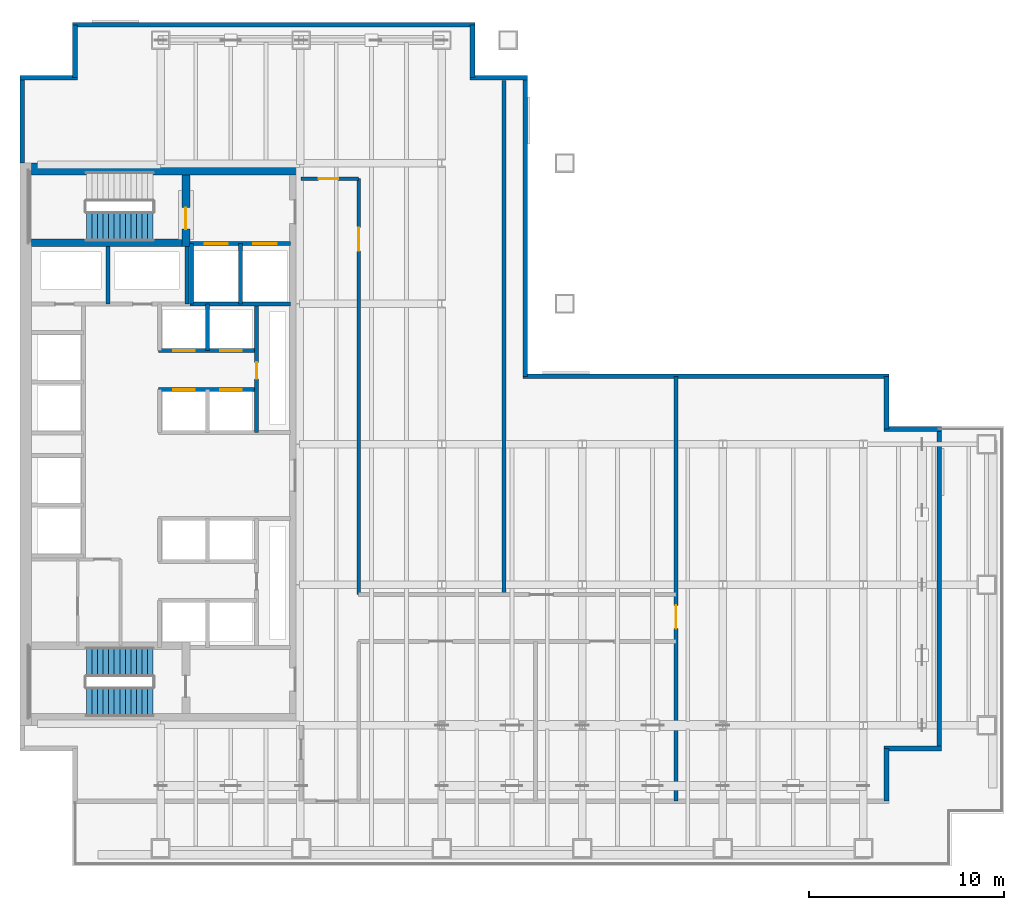
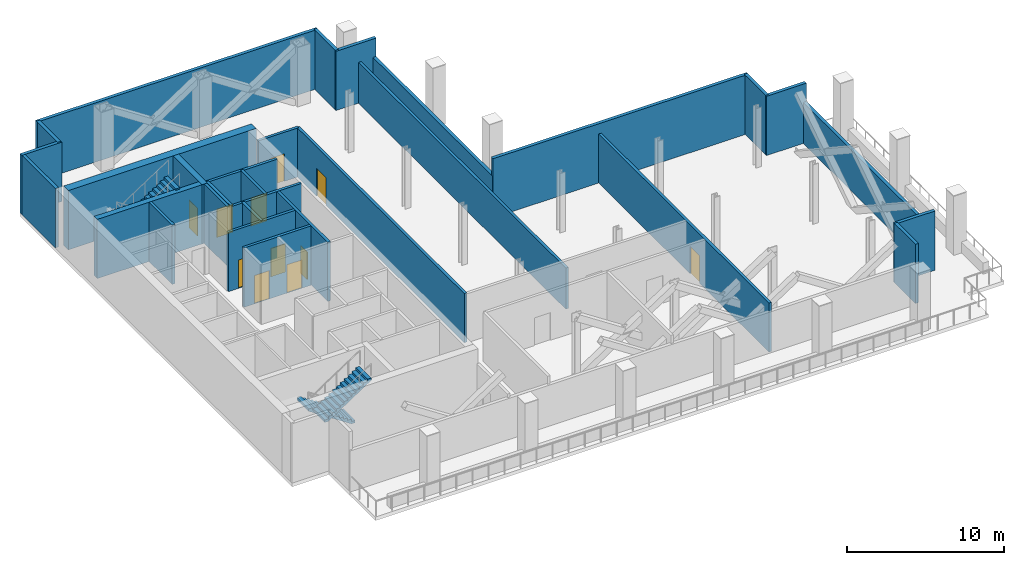
# One storey, part 6 of 9: 30 walls, 11 doors, 3 stair flights, 11 openings, 2 elements without a shape of their own.
"""IFC4 building model written with IfcOpenShell, lengths in metres."""

from ifc_helpers import new_model, si_unit, direction, frame, frame_2d, origin, place, context, subcontext, project, spatial, polyline, rectangle, outline, extrude, material, layer, layer_set, type_object, element, fill, aggregate, save


model = new_model("IFC4")

# Units and contexts
model_context = context("Model", 3, precision=1e-05, world=origin(), true_north=direction((0.0, 1.0)))
body_context = subcontext(model_context, "Body", "Model", "MODEL_VIEW")
ifc_project = project(units=[si_unit("LENGTHUNIT", "METRE"), si_unit("AREAUNIT", "SQUARE_METRE"), si_unit("VOLUMEUNIT", "CUBIC_METRE"), si_unit("PLANEANGLEUNIT", "RADIAN"), si_unit("MASSUNIT", "GRAM", prefix="KILO")], contexts=[model_context])

# Site, building, storey
site_placement = place(None, origin())
site = spatial("IfcSite", under=ifc_project, at=site_placement, CompositionType="ELEMENT")
building_placement = place(site_placement, origin())
building = spatial("IfcBuilding", under=site, at=building_placement, Name="Cobrela Telecom Tower", CompositionType="ELEMENT")
storey_placement = place(building_placement, frame((0.0, 0.0, 92.75)))
storey = spatial("IfcBuildingStorey", under=building, at=storey_placement, Name="L23", CompositionType="ELEMENT", Elevation=92.75)

# Walls
ifc_material_1 = material(Name="Concrete C50/60", Category="concrete")
ifc_layer_1 = layer(ifc_material_1, 0.60009765625)
ifc_layer_set_1 = layer_set([ifc_layer_1], Name="Concrete C50/60")
wall_type_1 = type_object("IfcWallType", Name="WALL-CORE-C50-600", PredefinedType="SHEAR", material=ifc_layer_set_1)
wall_1_placement = place(storey_placement, frame((0.60009765625, 35.699951171875, 0.0), z_axis=(0.0, 0.0, 1.0), x_axis=(1.0, 0.0, 0.0)))
element("IfcWall", 1, at=wall_1_placement, inside=storey, type_object=wall_type_1, Name="L23 North Core Shear Wall", PredefinedType="SHEAR", context=body_context, shape_type="SweptSolid", body=[
    extrude(rectangle(XDim=13.7998046875, YDim=0.60009765625, at=frame_2d((6.89990234375, 0.0))), origin(), (0.0, 0.0, 1.0), 4.60009765625),
])
ifc_material_2 = material(Name="Concrete C40/50", Category="concrete")
ifc_layer_2 = layer(ifc_material_2, 0.239990234375)
ifc_layer_set_2 = layer_set([ifc_layer_2], Name="Concrete C40/50")
wall_type_2 = type_object("IfcWallType", Name="WALL-EXT-300", PredefinedType="STANDARD", material=ifc_layer_set_2)
wall_2_placement = place(storey_placement, frame((0.1201171875, 36.0, 0.0), z_axis=(0.0, 0.0, 1.0), x_axis=(0.0, 1.0, 0.0)))
element("IfcWall", 2, at=wall_2_placement, inside=storey, type_object=wall_type_2, Name="L23 Plant Acoustic Exterior Wall 04", PredefinedType="STANDARD", context=body_context, shape_type="SweptSolid", body=[
    extrude(rectangle(XDim=4.3798828125, YDim=0.239990234375, at=frame_2d((2.18994140625, 0.0))), origin(), (0.0, 0.0, 1.0), 4.60009765625),
])
wall_3_placement = place(storey_placement, frame((0.0, 40.3798828125, 0.0), z_axis=(0.0, 0.0, 1.0), x_axis=(1.0, 0.0, 0.0)))
element("IfcWall", 3, at=wall_3_placement, inside=storey, type_object=wall_type_2, Name="L23 Plant Acoustic Exterior Wall 05", PredefinedType="STANDARD", context=body_context, shape_type="SweptSolid", body=[
    extrude(rectangle(XDim=2.93994140625, YDim=0.239990234375, at=frame_2d((1.469970703125, 0.0))), origin(), (0.0, 0.0, 1.0), 4.60009765625),
])
wall_4_placement = place(storey_placement, frame((2.820068359375, 40.3798828125, 0.0), z_axis=(0.0, 0.0, 1.0), x_axis=(0.0, 1.0, 0.0)))
element("IfcWall", 4, at=wall_4_placement, inside=storey, type_object=wall_type_2, Name="L23 Plant Acoustic Exterior Wall 06", PredefinedType="STANDARD", context=body_context, shape_type="SweptSolid", body=[
    extrude(rectangle(XDim=2.7001953125, YDim=0.239990234375, at=frame_2d((1.35009765625, 0.0))), origin(), (0.0, 0.0, 1.0), 4.60009765625),
])
wall_5_placement = place(storey_placement, frame((2.699951171875, 43.080078125, 0.0), z_axis=(0.0, 0.0, 1.0), x_axis=(1.0, 0.0, 0.0)))
element("IfcWall", 5, at=wall_5_placement, inside=storey, type_object=wall_type_2, Name="L23 Plant Acoustic Exterior Wall 07", PredefinedType="STANDARD", context=body_context, shape_type="SweptSolid", body=[
    extrude(rectangle(XDim=20.60009765625, YDim=0.239990234375, at=frame_2d((10.300048828125, 0.0))), origin(), (0.0, 0.0, 1.0), 4.60009765625),
])
wall_6_placement = place(storey_placement, frame((23.179931640625, 43.080078125, 0.0), z_axis=(0.0, 0.0, 1.0), x_axis=(0.0, -1.0, 0.0)))
element("IfcWall", 6, at=wall_6_placement, inside=storey, type_object=wall_type_2, Name="L23 Plant Acoustic Exterior Wall 08", PredefinedType="STANDARD", context=body_context, shape_type="SweptSolid", body=[
    extrude(rectangle(XDim=2.7001953125, YDim=0.239990234375, at=frame_2d((1.35009765625, 0.0))), origin(), (0.0, 0.0, 1.0), 4.60009765625),
])
wall_7_placement = place(storey_placement, frame((23.06005859375, 40.3798828125, 0.0), z_axis=(0.0, 0.0, 1.0), x_axis=(1.0, 0.0, 0.0)))
element("IfcWall", 7, at=wall_7_placement, inside=storey, type_object=wall_type_2, Name="L23 Plant Acoustic Exterior Wall 09", PredefinedType="STANDARD", context=body_context, shape_type="SweptSolid", body=[
    extrude(rectangle(XDim=2.93994140625, YDim=0.239990234375, at=frame_2d((1.469970703125, 0.0))), origin(), (0.0, 0.0, 1.0), 4.60009765625),
])
wall_8_placement = place(storey_placement, frame((25.8798828125, 40.3798828125, 0.0), z_axis=(0.0, 0.0, 1.0), x_axis=(0.0, -1.0, 0.0)))
element("IfcWall", 8, at=wall_8_placement, inside=storey, type_object=wall_type_2, Name="L23 Plant Acoustic Exterior Wall 10", PredefinedType="STANDARD", context=body_context, shape_type="SweptSolid", body=[
    extrude(rectangle(XDim=15.2998046875, YDim=0.239990234375, at=frame_2d((7.64990234375, 0.0))), origin(), (0.0, 0.0, 1.0), 3.18505859375),
])
wall_9_placement = place(storey_placement, frame((25.760009765625, 25.080078125, 0.0), z_axis=(0.0, 0.0, 1.0), x_axis=(1.0, 0.0, 0.0)))
element("IfcWall", 9, at=wall_9_placement, inside=storey, type_object=wall_type_2, Name="L23 Plant Acoustic Exterior Wall 11", PredefinedType="STANDARD", context=body_context, shape_type="SweptSolid", body=[
    extrude(rectangle(XDim=18.739990234375, YDim=0.239990234375, at=frame_2d((9.3701171875, 0.0))), origin(), (0.0, 0.0, 1.0), 4.60009765625),
])
wall_10_placement = place(storey_placement, frame((44.3798828125, 25.080078125, 0.0), z_axis=(0.0, 0.0, 1.0), x_axis=(0.0, -1.0, 0.0)))
element("IfcWall", 10, at=wall_10_placement, inside=storey, type_object=wall_type_2, Name="L23 Plant Acoustic Exterior Wall 12", PredefinedType="STANDARD", context=body_context, shape_type="SweptSolid", body=[
    extrude(rectangle(XDim=2.7001953125, YDim=0.239990234375, at=frame_2d((1.35009765625, 0.0))), origin(), (0.0, 0.0, 1.0), 4.60009765625),
])
wall_11_placement = place(storey_placement, frame((44.260009765625, 22.3798828125, 0.0), z_axis=(0.0, 0.0, 1.0), x_axis=(1.0, 0.0, 0.0)))
element("IfcWall", 11, at=wall_11_placement, inside=storey, type_object=wall_type_2, Name="L23 Plant Acoustic Exterior Wall 13", PredefinedType="STANDARD", context=body_context, shape_type="SweptSolid", body=[
    extrude(rectangle(XDim=2.93994140625, YDim=0.239990234375, at=frame_2d((1.469970703125, 0.0))), origin(), (0.0, 0.0, 1.0), 4.60009765625),
])
wall_12_placement = place(storey_placement, frame((47.080078125, 22.3798828125, 0.0), z_axis=(0.0, 0.0, 1.0), x_axis=(0.0, -1.0, 0.0)))
element("IfcWall", 12, at=wall_12_placement, inside=storey, type_object=wall_type_2, Name="L23 Plant Acoustic Exterior Wall 14", PredefinedType="STANDARD", context=body_context, shape_type="SweptSolid", body=[
    extrude(rectangle(XDim=16.35986328125, YDim=0.239990234375, at=frame_2d((8.179931640625, 0.0))), origin(), (0.0, 0.0, 1.0), 3.18505859375),
])
wall_13_placement = place(storey_placement, frame((47.199951171875, 6.02001953125, 0.0), z_axis=(0.0, 0.0, 1.0), x_axis=(-1.0, 0.0, 0.0)))
element("IfcWall", 13, at=wall_13_placement, inside=storey, type_object=wall_type_2, Name="L23 Plant Acoustic Exterior Wall 15", PredefinedType="STANDARD", context=body_context, shape_type="SweptSolid", body=[
    extrude(rectangle(XDim=2.93994140625, YDim=0.239990234375, at=frame_2d((1.469970703125, 0.0))), origin(), (0.0, 0.0, 1.0), 4.60009765625),
])
wall_14_placement = place(storey_placement, frame((44.3798828125, 6.02001953125, 0.0), z_axis=(0.0, 0.0, 1.0), x_axis=(0.0, -1.0, 0.0)))
element("IfcWall", 14, at=wall_14_placement, inside=storey, type_object=wall_type_2, Name="L23 Plant Acoustic Exterior Wall 16", PredefinedType="STANDARD", context=body_context, shape_type="SweptSolid", body=[
    extrude(rectangle(XDim=2.699951171875, YDim=0.239990234375, at=frame_2d((1.35009765625, 0.0))), origin(), (0.0, 0.0, 1.0), 4.60009765625),
])

# Wall, openings, doors
ifc_material_3 = material(Name="Fire-Rated Gypsum Plasterboard")
ifc_layer_3 = layer(ifc_material_3, 0.199951171875)
ifc_layer_set_3 = layer_set([ifc_layer_3], Name="Fire-Rated Gypsum Plasterboard")
wall_type_3 = type_object("IfcWallType", Name="WALL-SHAFT-200", PredefinedType="PARTITIONING", material=ifc_layer_set_3)
wall_15_placement = place(storey_placement, frame((8.699951171875, 31.8798828125, 0.0), z_axis=(0.0, 0.0, 1.0), x_axis=(1.0, 0.0, 0.0)))
wall_15 = element("IfcWall", 15, at=wall_15_placement, inside=storey, type_object=wall_type_3, Name="L23 Shaft Enclosure CW-FFL-S", PredefinedType="PARTITIONING", context=body_context, shape_type="SweptSolid", body=[
    extrude(rectangle(XDim=5.150146484375, YDim=0.199951171875, at=frame_2d((2.5751953125, 0.0))), origin(), (0.0, 0.0, 1.0), 4.60009765625),
])
opening_1_placement = place(wall_15_placement, frame((0.75, 0.0, 0.0)))
opening_1 = element("IfcOpeningElement", 16, at=opening_1_placement, cuts=wall_15, Name="Opening LD-2", PredefinedType="OPENING", context=body_context, shape_type="SweptSolid", body=[
    extrude(rectangle(XDim=1.199951171875, YDim=2.199951171875, at=frame_2d((0.60009765625, 1.10009765625))), frame((0.0, 0.11181640625, 0.0), z_axis=(0.0, -1.0, 0.0), x_axis=(1.0, 0.0, 0.0)), (0.0, 0.0, 1.0), 0.223876953125),
])
opening_2_placement = place(wall_15_placement, frame((3.25, 0.0, 0.0)))
opening_2 = element("IfcOpeningElement", 17, at=opening_2_placement, cuts=wall_15, Name="Opening LD-2", PredefinedType="OPENING", context=body_context, shape_type="SweptSolid", body=[
    extrude(rectangle(XDim=1.199951171875, YDim=2.199951171875, at=frame_2d((0.60009765625, 1.10009765625))), frame((0.0, 0.11181640625, 0.0), z_axis=(0.0, -1.0, 0.0), x_axis=(1.0, 0.0, 0.0)), (0.0, 0.0, 1.0), 0.223876953125),
])
ifc_material_4 = material(Name="Steel ASTM A36", Category="steel")
door_type_1 = type_object("IfcDoorType", Name="DOOR-LD-FFL", OperationType="SINGLE_SWING_LEFT", PredefinedType="DOOR", material=ifc_material_4)
door_1_placement = place(opening_1_placement, origin())
door_1 = element("IfcDoor", 18, at=door_1_placement, inside=storey, type_object=door_type_1, Name="L23 Lift Landing Door LD-2", OperationType="DOUBLE_DOOR_SLIDING", OverallHeight=2.199951171875, OverallWidth=1.199951171875, PredefinedType="DOOR", context=body_context, shape_type="SweptSolid", body=[
    extrude(rectangle(XDim=1.199951171875, YDim=2.199951171875, at=frame_2d((0.60009765625, 1.10009765625))), frame((0.0, 0.02490234375, 0.0), z_axis=(0.0, -1.0, 0.0), x_axis=(1.0, 0.0, 0.0)), (0.0, 0.0, 1.0), 0.050048828125),
])
fill(opening_1, door_1)
door_2_placement = place(opening_2_placement, origin())
door_2 = element("IfcDoor", 19, at=door_2_placement, inside=storey, type_object=door_type_1, Name="L23 Lift Landing Door LD-2", OperationType="DOUBLE_DOOR_SLIDING", OverallHeight=2.199951171875, OverallWidth=1.199951171875, PredefinedType="DOOR", context=body_context, shape_type="SweptSolid", body=[
    extrude(rectangle(XDim=1.199951171875, YDim=2.199951171875, at=frame_2d((0.60009765625, 1.10009765625))), frame((0.0, 0.02490234375, 0.0), z_axis=(0.0, -1.0, 0.0), x_axis=(1.0, 0.0, 0.0)), (0.0, 0.0, 1.0), 0.050048828125),
])
fill(opening_2, door_2)

# Walls
wall_16_placement = place(storey_placement, frame((8.699951171875, 28.780029296875, 0.0), z_axis=(0.0, 0.0, 1.0), x_axis=(1.0, 0.0, 0.0)))
element("IfcWall", 20, at=wall_16_placement, inside=storey, type_object=wall_type_3, Name="L23 Shaft Enclosure CW-FFL-S2", PredefinedType="PARTITIONING", context=body_context, shape_type="SweptSolid", body=[
    extrude(rectangle(XDim=5.150146484375, YDim=0.199951171875, at=frame_2d((2.5751953125, 0.0))), origin(), (0.0, 0.0, 1.0), 4.60009765625),
])
for number, where, z_axis, x_axis, name in (
    (21, (8.780029296875, 28.780029296875, 0.0), (0.0, 0.0, 1.0), (0.0, 1.0, 0.0), "L23 Shaft Enclosure CW-FFL-W"),
    (22, (11.300048828125, 28.780029296875, 0.0), (0.0, 0.0, 1.0), (0.0, 1.0, 0.0), "L23 Shaft Enclosure CW-FFL-M"),
):
    element("IfcWall", number, at=place(storey_placement, frame(where, z_axis=z_axis, x_axis=x_axis)), inside=storey, type_object=wall_type_3, Name=name, PredefinedType="PARTITIONING", context=body_context, shape_type="SweptSolid", body=[
        extrude(rectangle(XDim=3.099853515625, YDim=0.199951171875, at=frame_2d((1.5498046875, 0.0))), origin(), (0.0, 0.0, 1.0), 4.60009765625),
    ])
for number, where, z_axis, x_axis, name in (
    (23, (4.5, 28.780029296875, 0.0), (0.0, 0.0, 1.0), (0.0, 1.0, 0.0), "L23 Shaft Enclosure CW-RIS-M"),
    (24, (8.550048828125, 28.780029296875, 0.0), (0.0, 0.0, 1.0), (0.0, 1.0, 0.0), "L23 Shaft Enclosure CW-RIS-E"),
):
    element("IfcWall", number, at=place(storey_placement, frame(where, z_axis=z_axis, x_axis=x_axis)), inside=storey, type_object=wall_type_3, Name=name, PredefinedType="PARTITIONING", context=body_context, shape_type="SweptSolid", body=[
        extrude(rectangle(XDim=2.93994140625, YDim=0.199951171875, at=frame_2d((1.469970703125, 0.0))), origin(), (0.0, 0.0, 1.0), 4.60009765625),
    ])

# Wall, openings, doors
wall_17_placement = place(storey_placement, frame((7.10009765625, 24.39990234375, 0.0), z_axis=(0.0, 0.0, 1.0), x_axis=(1.0, 0.0, 0.0)))
wall_17 = element("IfcWall", 25, at=wall_17_placement, inside=storey, type_object=wall_type_3, Name="L23 Shaft Enclosure CW-PLL-S", PredefinedType="PARTITIONING", context=body_context, shape_type="SweptSolid", body=[
    extrude(rectangle(XDim=5.02001953125, YDim=0.199951171875, at=frame_2d((2.510009765625, 0.0))), origin(), (0.0, 0.0, 1.0), 4.60009765625),
])
opening_3_placement = place(wall_17_placement, frame((0.75, 0.0, 0.0)))
opening_3 = element("IfcOpeningElement", 26, at=opening_3_placement, cuts=wall_17, Name="Opening LD-1", PredefinedType="OPENING", context=body_context, shape_type="SweptSolid", body=[
    extrude(rectangle(XDim=1.10009765625, YDim=2.199951171875, at=frame_2d((0.550048828125, 1.10009765625))), frame((0.0, 0.11181640625, 0.0), z_axis=(0.0, -1.0, 0.0), x_axis=(1.0, 0.0, 0.0)), (0.0, 0.0, 1.0), 0.223876953125),
])
opening_4_placement = place(wall_17_placement, frame((3.14990234375, 0.0, 0.0)))
opening_4 = element("IfcOpeningElement", 27, at=opening_4_placement, cuts=wall_17, Name="Opening LD-1", PredefinedType="OPENING", context=body_context, shape_type="SweptSolid", body=[
    extrude(rectangle(XDim=1.10009765625, YDim=2.199951171875, at=frame_2d((0.550048828125, 1.10009765625))), frame((0.0, 0.11181640625, 0.0), z_axis=(0.0, -1.0, 0.0), x_axis=(1.0, 0.0, 0.0)), (0.0, 0.0, 1.0), 0.223876953125),
])
door_type_2 = type_object("IfcDoorType", Name="DOOR-LD-PL", OperationType="SINGLE_SWING_LEFT", PredefinedType="DOOR", material=ifc_material_4)
door_3_placement = place(opening_3_placement, origin())
door_3 = element("IfcDoor", 28, at=door_3_placement, inside=storey, type_object=door_type_2, Name="L23 Lift Landing Door LD-1", OperationType="DOUBLE_DOOR_SLIDING", OverallHeight=2.199951171875, OverallWidth=1.10009765625, PredefinedType="DOOR", context=body_context, shape_type="SweptSolid", body=[
    extrude(rectangle(XDim=1.10009765625, YDim=2.199951171875, at=frame_2d((0.550048828125, 1.10009765625))), frame((0.0, 0.02490234375, 0.0), z_axis=(0.0, -1.0, 0.0), x_axis=(1.0, 0.0, 0.0)), (0.0, 0.0, 1.0), 0.050048828125),
])
fill(opening_3, door_3)
door_4_placement = place(opening_4_placement, origin())
door_4 = element("IfcDoor", 29, at=door_4_placement, inside=storey, type_object=door_type_2, Name="L23 Lift Landing Door LD-1", OperationType="DOUBLE_DOOR_SLIDING", OverallHeight=2.199951171875, OverallWidth=1.10009765625, PredefinedType="DOOR", context=body_context, shape_type="SweptSolid", body=[
    extrude(rectangle(XDim=1.10009765625, YDim=2.199951171875, at=frame_2d((0.550048828125, 1.10009765625))), frame((0.0, 0.02490234375, 0.0), z_axis=(0.0, -1.0, 0.0), x_axis=(1.0, 0.0, 0.0)), (0.0, 0.0, 1.0), 0.050048828125),
])
fill(opening_4, door_4)

wall_18_placement = place(storey_placement, frame((7.10009765625, 26.39990234375, 0.0), z_axis=(0.0, 0.0, 1.0), x_axis=(1.0, 0.0, 0.0)))
wall_18 = element("IfcWall", 30, at=wall_18_placement, inside=storey, type_object=wall_type_3, Name="L23 Shaft Enclosure CW-PLL-N", PredefinedType="PARTITIONING", context=body_context, shape_type="SweptSolid", body=[
    extrude(rectangle(XDim=5.02001953125, YDim=0.199951171875, at=frame_2d((2.510009765625, 0.0))), origin(), (0.0, 0.0, 1.0), 4.60009765625),
])
opening_5_placement = place(wall_18_placement, frame((0.75, 0.0, 0.0)))
opening_5 = element("IfcOpeningElement", 31, at=opening_5_placement, cuts=wall_18, Name="Opening LD-1", PredefinedType="OPENING", context=body_context, shape_type="SweptSolid", body=[
    extrude(rectangle(XDim=1.10009765625, YDim=2.199951171875, at=frame_2d((0.550048828125, 1.10009765625))), frame((0.0, 0.11181640625, 0.0), z_axis=(0.0, -1.0, 0.0), x_axis=(1.0, 0.0, 0.0)), (0.0, 0.0, 1.0), 0.223876953125),
])
opening_6_placement = place(wall_18_placement, frame((3.14990234375, 0.0, 0.0)))
opening_6 = element("IfcOpeningElement", 32, at=opening_6_placement, cuts=wall_18, Name="Opening LD-1", PredefinedType="OPENING", context=body_context, shape_type="SweptSolid", body=[
    extrude(rectangle(XDim=1.10009765625, YDim=2.199951171875, at=frame_2d((0.550048828125, 1.10009765625))), frame((0.0, 0.11181640625, 0.0), z_axis=(0.0, -1.0, 0.0), x_axis=(1.0, 0.0, 0.0)), (0.0, 0.0, 1.0), 0.223876953125),
])
door_5_placement = place(opening_5_placement, origin())
door_5 = element("IfcDoor", 33, at=door_5_placement, inside=storey, type_object=door_type_2, Name="L23 Lift Landing Door LD-1", OperationType="DOUBLE_DOOR_SLIDING", OverallHeight=2.199951171875, OverallWidth=1.10009765625, PredefinedType="DOOR", context=body_context, shape_type="SweptSolid", body=[
    extrude(rectangle(XDim=1.10009765625, YDim=2.199951171875, at=frame_2d((0.550048828125, 1.10009765625))), frame((0.0, 0.02490234375, 0.0), z_axis=(0.0, -1.0, 0.0), x_axis=(1.0, 0.0, 0.0)), (0.0, 0.0, 1.0), 0.050048828125),
])
fill(opening_5, door_5)
door_6_placement = place(opening_6_placement, origin())
door_6 = element("IfcDoor", 34, at=door_6_placement, inside=storey, type_object=door_type_2, Name="L23 Lift Landing Door LD-1", OperationType="DOUBLE_DOOR_SLIDING", OverallHeight=2.199951171875, OverallWidth=1.10009765625, PredefinedType="DOOR", context=body_context, shape_type="SweptSolid", body=[
    extrude(rectangle(XDim=1.10009765625, YDim=2.199951171875, at=frame_2d((0.550048828125, 1.10009765625))), frame((0.0, 0.02490234375, 0.0), z_axis=(0.0, -1.0, 0.0), x_axis=(1.0, 0.0, 0.0)), (0.0, 0.0, 1.0), 0.050048828125),
])
fill(opening_6, door_6)

# Wall
wall_19_placement = place(storey_placement, frame((9.60009765625, 26.39990234375, 0.0), z_axis=(0.0, 0.0, 1.0), x_axis=(0.0, 1.0, 0.0)))
element("IfcWall", 35, at=wall_19_placement, inside=storey, type_object=wall_type_3, Name="L23 Shaft Enclosure CW-PLL-V2B", PredefinedType="PARTITIONING", context=body_context, shape_type="SweptSolid", body=[
    extrude(rectangle(XDim=2.380126953125, YDim=0.199951171875, at=frame_2d((1.18994140625, 0.0))), origin(), (0.0, 0.0, 1.0), 4.60009765625),
])

# Wall, opening, door
wall_20_placement = place(storey_placement, frame((12.1201171875, 22.199951171875, 0.0), z_axis=(0.0, 0.0, 1.0), x_axis=(0.0, 1.0, 0.0)))
wall_20 = element("IfcWall", 36, at=wall_20_placement, inside=storey, type_object=wall_type_3, Name="L23 Shaft Enclosure CW-PLL-V3", PredefinedType="PARTITIONING", context=body_context, shape_type="SweptSolid", body=[
    extrude(rectangle(XDim=6.580078125, YDim=0.199951171875, at=frame_2d((3.2900390625, 0.0))), origin(), (0.0, 0.0, 1.0), 4.60009765625),
])
opening_7_placement = place(wall_20_placement, frame((2.75, 0.0, 0.0)))
opening_7 = element("IfcOpeningElement", 37, at=opening_7_placement, cuts=wall_20, Name="Opening DR-11", PredefinedType="OPENING", context=body_context, shape_type="SweptSolid", body=[
    extrude(rectangle(XDim=0.85009765625, YDim=2.14990234375, at=frame_2d((0.425048828125, 1.074951171875))), frame((0.0, 0.11181640625, 0.0), z_axis=(0.0, -1.0, 0.0), x_axis=(1.0, 0.0, 0.0)), (0.0, 0.0, 1.0), 0.223876953125),
])
ifc_material_5 = material(Name="Solid Engineered Oak Timber", Category="wood")
door_type_3 = type_object("IfcDoorType", Name="DOOR-INT-850", OperationType="SINGLE_SWING_LEFT", PredefinedType="DOOR", material=ifc_material_5)
door_7_placement = place(opening_7_placement, origin())
door_7 = element("IfcDoor", 38, at=door_7_placement, inside=storey, type_object=door_type_3, Name="L23 Door DR-11", OperationType="SINGLE_SWING_LEFT", OverallHeight=2.14990234375, OverallWidth=0.85009765625, PredefinedType="DOOR", context=body_context, shape_type="SweptSolid", body=[
    extrude(rectangle(XDim=0.85009765625, YDim=2.14990234375, at=frame_2d((0.425048828125, 1.074951171875))), frame((0.0, 0.02490234375, 0.0), z_axis=(0.0, -1.0, 0.0), x_axis=(1.0, 0.0, 0.0)), (0.0, 0.0, 1.0), 0.050048828125),
])
fill(opening_7, door_7)

wall_21_placement = place(storey_placement, frame((14.39990234375, 35.199951171875, 0.0), z_axis=(0.0, 0.0, 1.0), x_axis=(1.0, 0.0, 0.0)))
wall_21 = element("IfcWall", 39, at=wall_21_placement, inside=storey, type_object=wall_type_3, Name="L23 Shaft Enclosure W-MP-N0", PredefinedType="PARTITIONING", context=body_context, shape_type="SweptSolid", body=[
    extrude(rectangle(XDim=2.9501953125, YDim=0.199951171875, at=frame_2d((1.47509765625, 0.0))), origin(), (0.0, 0.0, 1.0), 3.81298828125),
])
opening_8_placement = place(wall_21_placement, frame((0.89990234375, 0.0, 0.0)))
opening_8 = element("IfcOpeningElement", 40, at=opening_8_placement, cuts=wall_21, Name="Opening DR-15", PredefinedType="OPENING", context=body_context, shape_type="SweptSolid", body=[
    extrude(rectangle(XDim=1.0, YDim=2.14990234375, at=frame_2d((0.5, 1.074951171875))), frame((0.0, 0.11181640625, 0.0), z_axis=(0.0, -1.0, 0.0), x_axis=(1.0, 0.0, 0.0)), (0.0, 0.0, 1.0), 0.223876953125),
])
door_type_4 = type_object("IfcDoorType", Name="DOOR-FD60-1000", OperationType="SINGLE_SWING_LEFT", PredefinedType="DOOR", material=ifc_material_4)
door_8_placement = place(opening_8_placement, origin())
door_8 = element("IfcDoor", 41, at=door_8_placement, inside=storey, type_object=door_type_4, Name="L23 Door DR-15", OperationType="SINGLE_SWING_RIGHT", OverallHeight=2.14990234375, OverallWidth=1.0, PredefinedType="DOOR", context=body_context, shape_type="SweptSolid", body=[
    extrude(rectangle(XDim=1.0, YDim=2.14990234375, at=frame_2d((0.5, 1.074951171875))), frame((0.0, 0.02490234375, 0.0), z_axis=(0.0, -1.0, 0.0), x_axis=(1.0, 0.0, 0.0)), (0.0, 0.0, 1.0), 0.050048828125),
])
fill(opening_8, door_8)

wall_22_placement = place(storey_placement, frame((17.35009765625, 13.89990234375, 0.0), z_axis=(0.0, 0.0, 1.0), x_axis=(0.0, 1.0, 0.0)))
wall_22 = element("IfcWall", 42, at=wall_22_placement, inside=storey, type_object=wall_type_3, Name="L23 Shaft Enclosure W-MP-E2", PredefinedType="PARTITIONING", context=body_context, shape_type="SweptSolid", body=[
    extrude(rectangle(XDim=21.300048828125, YDim=0.199951171875, at=frame_2d((10.64990234375, 0.0))), origin(), (0.0, 0.0, 1.0), 3.81298828125),
])
opening_9_placement = place(wall_22_placement, frame((17.60009765625, 0.0, 0.0)))
opening_9 = element("IfcOpeningElement", 43, at=opening_9_placement, cuts=wall_22, Name="Opening DR-19", PredefinedType="OPENING", context=body_context, shape_type="SweptSolid", body=[
    extrude(rectangle(XDim=1.199951171875, YDim=2.14990234375, at=frame_2d((0.60009765625, 1.074951171875))), frame((0.0, 0.11181640625, 0.0), z_axis=(0.0, -1.0, 0.0), x_axis=(1.0, 0.0, 0.0)), (0.0, 0.0, 1.0), 0.223876953125),
])
door_type_5 = type_object("IfcDoorType", Name="DOOR-FD60-1200", OperationType="SINGLE_SWING_LEFT", PredefinedType="DOOR", material=ifc_material_4)
door_9_placement = place(opening_9_placement, origin())
door_9 = element("IfcDoor", 44, at=door_9_placement, inside=storey, type_object=door_type_5, Name="L23 Door DR-19", OperationType="SINGLE_SWING_LEFT", OverallHeight=2.14990234375, OverallWidth=1.199951171875, PredefinedType="DOOR", context=body_context, shape_type="SweptSolid", body=[
    extrude(rectangle(XDim=1.199951171875, YDim=2.14990234375, at=frame_2d((0.60009765625, 1.074951171875))), frame((0.0, 0.02490234375, 0.0), z_axis=(0.0, -1.0, 0.0), x_axis=(1.0, 0.0, 0.0)), (0.0, 0.0, 1.0), 0.050048828125),
])
fill(opening_9, door_9)

wall_23_placement = place(storey_placement, frame((33.60009765625, 3.320068359375, 0.0), z_axis=(0.0, 0.0, 1.0), x_axis=(0.0, 1.0, 0.0)))
wall_23 = element("IfcWall", 45, at=wall_23_placement, inside=storey, type_object=wall_type_3, Name="L23 Shaft Enclosure W-MP-END", PredefinedType="PARTITIONING", context=body_context, shape_type="SweptSolid", body=[
    extrude(rectangle(XDim=21.760009765625, YDim=0.199951171875, at=frame_2d((10.8798828125, 0.0))), origin(), (0.0, 0.0, 1.0), 3.81298828125),
])
opening_10_placement = place(wall_23_placement, frame((8.830078125, 0.0, 0.0)))
opening_10 = element("IfcOpeningElement", 46, at=opening_10_placement, cuts=wall_23, Name="Opening DR-19", PredefinedType="OPENING", context=body_context, shape_type="SweptSolid", body=[
    extrude(rectangle(XDim=1.199951171875, YDim=2.14990234375, at=frame_2d((0.60009765625, 1.074951171875))), frame((0.0, 0.11181640625, 0.0), z_axis=(0.0, -1.0, 0.0), x_axis=(1.0, 0.0, 0.0)), (0.0, 0.0, 1.0), 0.223876953125),
])
door_10_placement = place(opening_10_placement, origin())
door_10 = element("IfcDoor", 47, at=door_10_placement, inside=storey, type_object=door_type_5, Name="L23 Door DR-19", OperationType="SINGLE_SWING_LEFT", OverallHeight=2.14990234375, OverallWidth=1.199951171875, PredefinedType="DOOR", context=body_context, shape_type="SweptSolid", body=[
    extrude(rectangle(XDim=1.199951171875, YDim=2.14990234375, at=frame_2d((0.60009765625, 1.074951171875))), frame((0.0, 0.02490234375, 0.0), z_axis=(0.0, -1.0, 0.0), x_axis=(1.0, 0.0, 0.0)), (0.0, 0.0, 1.0), 0.050048828125),
])
fill(opening_10, door_10)

# Walls
wall_24_placement = place(storey_placement, frame((24.800048828125, 13.89990234375, 0.0), z_axis=(0.0, 0.0, 1.0), x_axis=(0.0, 1.0, 0.0)))
element("IfcWall", 48, at=wall_24_placement, inside=storey, type_object=wall_type_3, Name="L23 Shaft Enclosure W-MP-V2", PredefinedType="PARTITIONING", context=body_context, shape_type="SweptSolid", body=[
    extrude(rectangle(XDim=26.330078125, YDim=0.199951171875, at=frame_2d((13.1650390625, 0.0))), origin(), (0.0, 0.0, 1.0), 3.18505859375),
])
ifc_layer_4 = layer(ifc_material_2, 0.39990234375)
ifc_layer_set_4 = layer_set([ifc_layer_4], Name="Concrete C40/50")
wall_type_4 = type_object("IfcWallType", Name="WALL-SHAFT-C40-400", PredefinedType="SHEAR", material=ifc_layer_set_4)
wall_25_placement = place(storey_placement, frame((0.60009765625, 31.919921875, 0.0), z_axis=(0.0, 0.0, 1.0), x_axis=(1.0, 0.0, 0.0)))
element("IfcWall", 49, at=wall_25_placement, inside=storey, type_object=wall_type_4, Name="L23 North Stair Shear Wall", PredefinedType="SHEAR", context=body_context, shape_type="SweptSolid", body=[
    extrude(rectangle(XDim=7.699951171875, YDim=0.39990234375, at=frame_2d((3.85009765625, 0.0))), origin(), (0.0, 0.0, 1.0), 4.60009765625),
])

# Wall, opening, door
wall_26_placement = place(storey_placement, frame((8.5, 31.719970703125, 0.0), z_axis=(0.0, 0.0, 1.0), x_axis=(0.0, 1.0, 0.0)))
wall_26 = element("IfcWall", 50, at=wall_26_placement, inside=storey, type_object=wall_type_4, Name="L23 North Stair Lobby Shear Wall", PredefinedType="SHEAR", context=body_context, shape_type="SweptSolid", body=[
    extrude(rectangle(XDim=3.679931640625, YDim=0.39990234375, at=frame_2d((1.83984375, 0.0))), origin(), (0.0, 0.0, 1.0), 4.60009765625),
])
opening_11_placement = place(wall_26_placement, frame((0.89990234375, 0.0, 0.0)))
opening_11 = element("IfcOpeningElement", 51, at=opening_11_placement, cuts=wall_26, Name="Opening DR-59", PredefinedType="OPENING", context=body_context, shape_type="SweptSolid", body=[
    extrude(rectangle(XDim=1.10009765625, YDim=2.14990234375, at=frame_2d((0.550048828125, 1.074951171875))), frame((0.0, 0.2119140625, 0.0), z_axis=(0.0, -1.0, 0.0), x_axis=(1.0, 0.0, 0.0)), (0.0, 0.0, 1.0), 0.423828125),
])
door_type_6 = type_object("IfcDoorType", Name="DOOR-FD60-1100", OperationType="SINGLE_SWING_LEFT", PredefinedType="DOOR", material=ifc_material_4)
door_11_placement = place(opening_11_placement, origin())
door_11 = element("IfcDoor", 52, at=door_11_placement, inside=storey, type_object=door_type_6, Name="L23 Door DR-59", OperationType="SINGLE_SWING_RIGHT", OverallHeight=2.14990234375, OverallWidth=1.10009765625, PredefinedType="DOOR", context=body_context, shape_type="SweptSolid", body=[
    extrude(rectangle(XDim=1.10009765625, YDim=2.14990234375, at=frame_2d((0.550048828125, 1.074951171875))), frame((0.0, 0.02490234375, 0.0), z_axis=(0.0, -1.0, 0.0), x_axis=(1.0, 0.0, 0.0)), (0.0, 0.0, 1.0), 0.050048828125),
])
fill(opening_11, door_11)

# Stair, stair flight
stair_type = type_object("IfcStairType", Name="STAIR-CORE", PredefinedType="HALF_TURN_STAIR", material=ifc_material_2)
stair_1_placement = place(storey_placement, origin())
stair_1 = element("IfcStair", 53, at=stair_1_placement, inside=storey, type_object=stair_type, Name="L23 Smokeproof Exit Stair ST1", PredefinedType="HALF_TURN_STAIR")
stair_flight_type = type_object("IfcStairFlightType", Name="FLIGHT-CORE", PredefinedType="STRAIGHT", material=ifc_material_2)
stair_flight_1_placement = place(storey_placement, frame((3.39990234375, 32.75, 2.449951171875), z_axis=(0.0, 0.0, 1.0), x_axis=(1.0, 0.0, 0.0)))
stair_flight_1 = element("IfcStairFlight", 54, at=stair_flight_1_placement, type_object=stair_flight_type, Name="ST1 flight 2", NumberOfRisers=13, NumberOfTreads=12, PredefinedType="STRAIGHT", RiserHeight=0.188461538, TreadLength=0.285, context=body_context, shape_type="SweptSolid", body=[
    extrude(outline(polyline([(0.0, 0.0), (0.0, 0.1884765625), (0.284912109375, 0.1884765625), (0.284912109375, 0.376953125), (0.570068359375, 0.376953125), (0.570068359375, 0.5654296875), (0.85498046875, 0.5654296875), (0.85498046875, 0.75390625), (1.139892578125, 0.75390625), (1.139892578125, 0.9423828125), (1.425048828125, 0.9423828125), (1.425048828125, 1.130859375), (1.7099609375, 1.130859375), (1.7099609375, 1.3193359375), (1.9951171875, 1.3193359375), (1.9951171875, 1.5078125), (2.280029296875, 1.5078125), (2.280029296875, 1.696044921875), (2.56494140625, 1.696044921875), (2.56494140625, 1.884521484375), (2.85009765625, 1.884521484375), (2.85009765625, 2.072998046875), (3.135009765625, 2.072998046875), (3.135009765625, 2.261474609375), (3.419921875, 2.261474609375), (3.419921875, 2.449951171875), (3.419921875, 2.081787109375), (0.271728515625, 0.0), (0.0, 0.0)])), frame((0.0, 0.75, 0.0), z_axis=(0.0, -1.0, 0.0), x_axis=(1.0, 0.0, 0.0)), (0.0, 0.0, 1.0), 1.5),
])
aggregate(stair_1, [stair_flight_1])

# Stair, stair flights
stair_2_placement = place(storey_placement, origin())
stair_2 = element("IfcStair", 55, at=stair_2_placement, inside=storey, type_object=stair_type, Name="L23 Smokeproof Exit Stair ST2", PredefinedType="HALF_TURN_STAIR")
stair_flight_2_placement = place(storey_placement, frame((6.820068359375, 10.449951171875, 0.0), z_axis=(0.0, 0.0, 1.0), x_axis=(-1.0, 0.0, 0.0)))
stair_flight_2 = element("IfcStairFlight", 56, at=stair_flight_2_placement, type_object=stair_flight_type, Name="ST2 flight 1", NumberOfRisers=13, NumberOfTreads=12, PredefinedType="STRAIGHT", RiserHeight=0.188461538, TreadLength=0.285, context=body_context, shape_type="SweptSolid", body=[
    extrude(outline(polyline([(0.0, 0.0), (0.0, 0.1884765625), (0.284912109375, 0.1884765625), (0.284912109375, 0.376953125), (0.570068359375, 0.376953125), (0.570068359375, 0.5654296875), (0.85498046875, 0.5654296875), (0.85498046875, 0.75390625), (1.139892578125, 0.75390625), (1.139892578125, 0.9423828125), (1.425048828125, 0.9423828125), (1.425048828125, 1.130859375), (1.7099609375, 1.130859375), (1.7099609375, 1.3193359375), (1.9951171875, 1.3193359375), (1.9951171875, 1.5078125), (2.280029296875, 1.5078125), (2.280029296875, 1.696044921875), (2.56494140625, 1.696044921875), (2.56494140625, 1.884521484375), (2.85009765625, 1.884521484375), (2.85009765625, 2.072998046875), (3.135009765625, 2.072998046875), (3.135009765625, 2.261474609375), (3.419921875, 2.261474609375), (3.419921875, 2.449951171875), (3.419921875, 2.081787109375), (0.271728515625, 0.0), (0.0, 0.0)])), frame((0.0, 0.75, 0.0), z_axis=(0.0, -1.0, 0.0), x_axis=(1.0, 0.0, 0.0)), (0.0, 0.0, 1.0), 1.5),
])
stair_flight_3_placement = place(storey_placement, frame((3.39990234375, 8.39990234375, 2.449951171875), z_axis=(0.0, 0.0, 1.0), x_axis=(1.0, 0.0, 0.0)))
stair_flight_3 = element("IfcStairFlight", 57, at=stair_flight_3_placement, type_object=stair_flight_type, Name="ST2 flight 2", NumberOfRisers=13, NumberOfTreads=12, PredefinedType="STRAIGHT", RiserHeight=0.188461538, TreadLength=0.285, context=body_context, shape_type="SweptSolid", body=[
    extrude(outline(polyline([(0.0, 0.0), (0.0, 0.1884765625), (0.284912109375, 0.1884765625), (0.284912109375, 0.376953125), (0.570068359375, 0.376953125), (0.570068359375, 0.5654296875), (0.85498046875, 0.5654296875), (0.85498046875, 0.75390625), (1.139892578125, 0.75390625), (1.139892578125, 0.9423828125), (1.425048828125, 0.9423828125), (1.425048828125, 1.130859375), (1.7099609375, 1.130859375), (1.7099609375, 1.3193359375), (1.9951171875, 1.3193359375), (1.9951171875, 1.5078125), (2.280029296875, 1.5078125), (2.280029296875, 1.696044921875), (2.56494140625, 1.696044921875), (2.56494140625, 1.884521484375), (2.85009765625, 1.884521484375), (2.85009765625, 2.072998046875), (3.135009765625, 2.072998046875), (3.135009765625, 2.261474609375), (3.419921875, 2.261474609375), (3.419921875, 2.449951171875), (3.419921875, 2.081787109375), (0.271728515625, 0.0), (0.0, 0.0)])), frame((0.0, 0.75, 0.0), z_axis=(0.0, -1.0, 0.0), x_axis=(1.0, 0.0, 0.0)), (0.0, 0.0, 1.0), 1.5),
])
aggregate(stair_2, [stair_flight_2, stair_flight_3])

save(model, "model.ifc")
